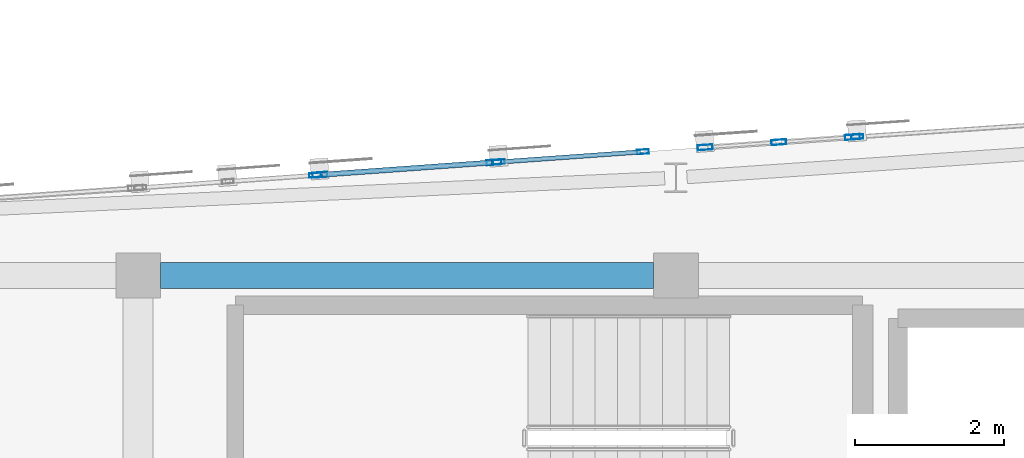
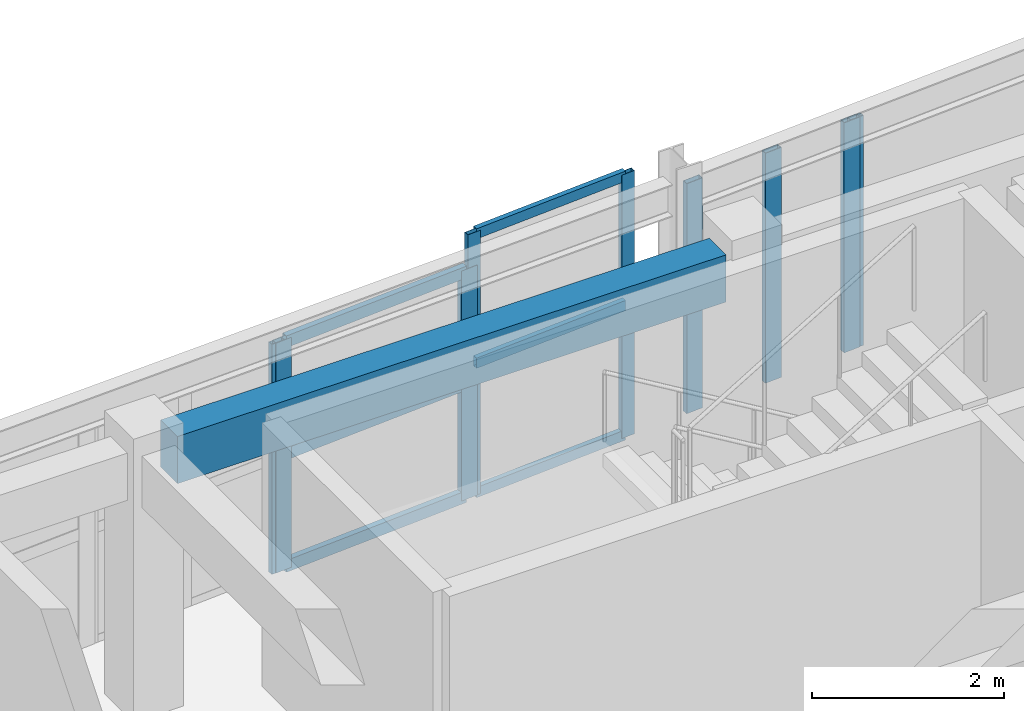
# One storey, part 9 of 48: 15 members, 1 beam, 5 elements without a shape of their own.
"""IFC4 building model written with IfcOpenShell, lengths in metres."""

from ifc_helpers import new_model, si_unit, direction, frame, origin, origin_2d, place, context, subcontext, project, spatial, rectangle, hollow_rectangle, extrude, material, layer, layer_set, material_profile, profile_set, type_object, element, aggregate, save


model = new_model("IFC4")

# Units and contexts
model_context = context("Model", 3, precision=1e-05, world=origin(), true_north=direction((0.0, 1.0)))
body_context = subcontext(model_context, "Body", "Model", "MODEL_VIEW")
ifc_project = project(units=[si_unit("LENGTHUNIT", "METRE"), si_unit("AREAUNIT", "SQUARE_METRE"), si_unit("VOLUMEUNIT", "CUBIC_METRE"), si_unit("PLANEANGLEUNIT", "RADIAN"), si_unit("MASSUNIT", "GRAM", prefix="KILO")], contexts=[model_context])

# Site, building, storey
site_placement = place(None, origin())
site = spatial("IfcSite", under=ifc_project, at=site_placement, CompositionType="ELEMENT")
building_placement = place(site_placement, origin())
building = spatial("IfcBuilding", under=site, at=building_placement, Name="Carrowvane Square Congress Hotel", CompositionType="ELEMENT")
storey_placement = place(building_placement, frame((0.0, 0.0, 26.39990234375)))
storey = spatial("IfcBuildingStorey", under=building, at=storey_placement, Name="L06", CompositionType="ELEMENT", Elevation=26.39990234375)

# Beam
ifc_material_1 = material(Name="Concrete C35/45", Category="concrete")
ifc_material_profile_1 = material_profile(ifc_material_1, rectangle(XDim=0.35009765625, YDim=0.60009765625, at=origin_2d()), Name="RC 350x600")
ifc_profile_set_1 = profile_set([ifc_material_profile_1], Name="Concrete C35/45")
beam_type = type_object("IfcBeamType", Name="BM-RC-350x600", PredefinedType="BEAM", material=ifc_profile_set_1)
beam_placement = place(storey_placement, frame((55.10009765625, 113.39990234375, 3.050048828125), z_axis=(1.0, 0.0, 0.0), x_axis=(0.0, 1.0, 0.0)))
element("IfcBeam", 1, at=beam_placement, inside=storey, type_object=beam_type, Name="L07 girder R/7-8", PredefinedType="BEAM", context=body_context, shape_type="SweptSolid", body=[
    extrude(rectangle(XDim=0.35009765625, YDim=0.60009765625, at=origin_2d()), origin(), (0.0, 0.0, 1.0), 6.599853515625),
])

# Curtain wall, member
ifc_material_2 = material(Name="Anodised aluminium", Category="aluminium")
ifc_layer_1 = layer(ifc_material_2, 0.2099609375)
ifc_layer_set_1 = layer_set([ifc_layer_1], Name="Anodised aluminium")
curtain_wall_type_1 = type_object("IfcCurtainWallType", Name="CW-SYS-5", PredefinedType="NOTDEFINED", material=ifc_layer_set_1)
curtain_wall_1_placement = place(storey_placement, origin())
curtain_wall_1 = element("IfcCurtainWall", 2, at=curtain_wall_1_placement, inside=storey, type_object=curtain_wall_type_1, Name="L06 unitised curtain wall 364", PredefinedType="NOTDEFINED")
ifc_material_3 = material(Name="Anodised aluminium", Category="aluminium")
ifc_material_profile_2 = material_profile(ifc_material_3, hollow_rectangle(XDim=0.06005859375, YDim=0.159912109375, WallThickness=0.00390625, at=origin_2d()), Name="CW-ML 60x160x4")
ifc_profile_set_2 = profile_set([ifc_material_profile_2], Name="Anodised aluminium")
member_type_1 = type_object("IfcMemberType", Name="CW-MUL-1", PredefinedType="MULLION", material=ifc_profile_set_2)
member_1_placement = place(storey_placement, frame((57.169921875, 114.740966796875, 0.0), z_axis=(0.0, 0.0, 1.0), x_axis=(-0.071418356042, 0.997446448898, 0.0)))
member_1 = element("IfcMember", 3, at=member_1_placement, type_object=member_type_1, Name="CW-5 mullion 3", PredefinedType="MULLION", context=body_context, shape_type="SweptSolid", body=[
    extrude(hollow_rectangle(XDim=0.06005859375, YDim=0.159912109375, WallThickness=0.00390625, at=origin_2d()), origin(), (0.0, 0.0, 1.0), 2.92578125),
])
aggregate(curtain_wall_1, [member_1])

# Curtain wall, members
ifc_material_4 = material(Name="Anodised aluminium", Category="aluminium")
ifc_layer_2 = layer(ifc_material_4, 0.23388671875)
ifc_layer_set_2 = layer_set([ifc_layer_2], Name="Anodised aluminium")
curtain_wall_type_2 = type_object("IfcCurtainWallType", Name="CW-SYS-7", PredefinedType="NOTDEFINED", material=ifc_layer_set_2)
curtain_wall_2_placement = place(storey_placement, origin())
curtain_wall_2 = element("IfcCurtainWall", 4, at=curtain_wall_2_placement, inside=storey, type_object=curtain_wall_type_2, Name="L06 unitised curtain wall 366", PredefinedType="NOTDEFINED")
member_2_placement = place(storey_placement, frame((59.6298828125, 114.91748046875, 0.0), z_axis=(0.0, 0.0, 1.0), x_axis=(-0.070960217342, 0.997479146426, 0.0)))
member_2 = element("IfcMember", 5, at=member_2_placement, type_object=member_type_1, Name="CW-7 mullion 1", PredefinedType="MULLION", context=body_context, shape_type="SweptSolid", body=[
    extrude(hollow_rectangle(XDim=0.06005859375, YDim=0.159912109375, WallThickness=0.00390625, at=origin_2d()), origin(), (0.0, 0.0, 1.0), 3.35009765625),
])
member_3_placement = place(storey_placement, frame((61.5595703125, 115.0546875, 0.0), z_axis=(0.0, 0.0, 1.0), x_axis=(-0.070960217342, 0.997479146426, 0.0)))
member_3 = element("IfcMember", 6, at=member_3_placement, type_object=member_type_1, Name="CW-7 mullion 2", PredefinedType="MULLION", context=body_context, shape_type="SweptSolid", body=[
    extrude(hollow_rectangle(XDim=0.06005859375, YDim=0.159912109375, WallThickness=0.00390625, at=origin_2d()), origin(), (0.0, 0.0, 1.0), 3.35009765625),
])

# Curtain wall, member
ifc_material_5 = material(Name="Anodised aluminium", Category="aluminium")
ifc_layer_3 = layer(ifc_material_5, 0.162109375)
ifc_layer_set_3 = layer_set([ifc_layer_3], Name="Anodised aluminium")
curtain_wall_type_3 = type_object("IfcCurtainWallType", Name="CW-SYS-1", PredefinedType="NOTDEFINED", material=ifc_layer_set_3)
curtain_wall_3_placement = place(storey_placement, origin())
curtain_wall_3 = element("IfcCurtainWall", 7, at=curtain_wall_3_placement, inside=storey, type_object=curtain_wall_type_3, Name="L06 unitised curtain wall 368", PredefinedType="NOTDEFINED")
member_4_placement = place(storey_placement, frame((64.429931640625, 115.255859375, 0.0), z_axis=(0.0, 0.0, 1.0), x_axis=(-0.067865424104, 0.997694484404, 0.0)))
member_4 = element("IfcMember", 8, at=member_4_placement, type_object=member_type_1, Name="CW-1 mullion 1", PredefinedType="MULLION", context=body_context, shape_type="SweptSolid", body=[
    extrude(hollow_rectangle(XDim=0.06005859375, YDim=0.159912109375, WallThickness=0.00390625, at=origin_2d()), origin(), (0.0, 0.0, 1.0), 2.92578125),
])
aggregate(curtain_wall_3, [member_4])

# Curtain wall, members
ifc_material_6 = material(Name="Anodised aluminium", Category="aluminium")
ifc_layer_4 = layer(ifc_material_6, 0.221923828125)
ifc_layer_set_4 = layer_set([ifc_layer_4], Name="Anodised aluminium")
curtain_wall_type_4 = type_object("IfcCurtainWallType", Name="CW-SYS-6", PredefinedType="NOTDEFINED", material=ifc_layer_set_4)
curtain_wall_4_placement = place(storey_placement, origin())
curtain_wall_4 = element("IfcCurtainWall", 9, at=curtain_wall_4_placement, inside=storey, type_object=curtain_wall_type_4, Name="L06 unitised curtain wall 365", PredefinedType="NOTDEFINED")
ifc_material_7 = material(Name="Anodised aluminium", Category="aluminium")
ifc_material_profile_3 = material_profile(ifc_material_7, hollow_rectangle(XDim=0.070068359375, YDim=0.199951171875, WallThickness=0.0048828125, at=origin_2d()), Name="CW-ML 70x200x5")
ifc_profile_set_3 = profile_set([ifc_material_profile_3], Name="Anodised aluminium")
member_type_2 = type_object("IfcMemberType", Name="CW-MUL-2", PredefinedType="MULLION", material=ifc_profile_set_3)
member_5_placement = place(storey_placement, frame((57.23486328125, 114.74560546875, 0.0), z_axis=(0.0, 0.0, 1.0), x_axis=(-0.071531759512, 0.997438322595, 0.0)))
member_5 = element("IfcMember", 10, at=member_5_placement, type_object=member_type_2, Name="CW-6 mullion 1", PredefinedType="MULLION", context=body_context, shape_type="SweptSolid", body=[
    extrude(hollow_rectangle(XDim=0.070068359375, YDim=0.199951171875, WallThickness=0.0048828125, at=origin_2d()), origin(), (0.0, 0.0, 1.0), 2.92578125),
])
member_6_placement = place(storey_placement, frame((59.565185546875, 114.912841796875, 0.0), z_axis=(0.0, 0.0, 1.0), x_axis=(-0.071531759512, 0.997438322595, 0.0)))
member_6 = element("IfcMember", 11, at=member_6_placement, type_object=member_type_2, Name="CW-6 mullion 2", PredefinedType="MULLION", context=body_context, shape_type="SweptSolid", body=[
    extrude(hollow_rectangle(XDim=0.070068359375, YDim=0.199951171875, WallThickness=0.0048828125, at=origin_2d()), origin(), (0.0, 0.0, 1.0), 2.92578125),
])

ifc_material_8 = material(Name="Anodised aluminium", Category="aluminium")
ifc_layer_5 = layer(ifc_material_8, 0.24609375)
ifc_layer_set_5 = layer_set([ifc_layer_5], Name="Anodised aluminium")
curtain_wall_type_5 = type_object("IfcCurtainWallType", Name="CW-SYS-8", PredefinedType="NOTDEFINED", material=ifc_layer_set_5)
curtain_wall_5_placement = place(storey_placement, origin())
curtain_wall_5 = element("IfcCurtainWall", 12, at=curtain_wall_5_placement, inside=storey, type_object=curtain_wall_type_5, Name="L06 unitised curtain wall 367", PredefinedType="NOTDEFINED")
member_7_placement = place(storey_placement, frame((62.39208984375, 115.11328125, 0.0), z_axis=(0.0, 0.0, 1.0), x_axis=(-0.069723822092, 0.997566332949, 0.0)))
member_7 = element("IfcMember", 13, at=member_7_placement, type_object=member_type_2, Name="CW-8 mullion 1", PredefinedType="MULLION", context=body_context, shape_type="SweptSolid", body=[
    extrude(hollow_rectangle(XDim=0.070068359375, YDim=0.199951171875, WallThickness=0.0048828125, at=origin_2d()), origin(), (0.0, 0.0, 1.0), 2.92578125),
])
member_8_placement = place(storey_placement, frame((63.378662109375, 115.182373046875, 0.0), z_axis=(0.0, 0.0, 1.0), x_axis=(-0.069723822092, 0.997566332949, 0.0)))
member_8 = element("IfcMember", 14, at=member_8_placement, type_object=member_type_2, Name="CW-8 mullion 2", PredefinedType="MULLION", context=body_context, shape_type="SweptSolid", body=[
    extrude(hollow_rectangle(XDim=0.070068359375, YDim=0.199951171875, WallThickness=0.0048828125, at=origin_2d()), origin(), (0.0, 0.0, 1.0), 2.92578125),
])
member_9_placement = place(storey_placement, frame((64.365234375, 115.251220703125, 0.0), z_axis=(0.0, 0.0, 1.0), x_axis=(-0.069723822092, 0.997566332949, 0.0)))
member_9 = element("IfcMember", 15, at=member_9_placement, type_object=member_type_2, Name="CW-8 mullion 3", PredefinedType="MULLION", context=body_context, shape_type="SweptSolid", body=[
    extrude(hollow_rectangle(XDim=0.070068359375, YDim=0.199951171875, WallThickness=0.0048828125, at=origin_2d()), origin(), (0.0, 0.0, 1.0), 2.92578125),
])
aggregate(curtain_wall_5, [member_7, member_8, member_9])

# Member
ifc_material_9 = material(Name="Anodised aluminium", Category="aluminium")
ifc_material_profile_4 = material_profile(ifc_material_9, hollow_rectangle(XDim=0.06005859375, YDim=0.1298828125, WallThickness=0.00390625, at=origin_2d()), Name="CW-TR 60x130x4")
ifc_profile_set_4 = profile_set([ifc_material_profile_4], Name="Anodised aluminium")
member_type_3 = type_object("IfcMemberType", Name="CW-TRN-1", PredefinedType="USERDEFINED", material=ifc_profile_set_4)
member_10_placement = place(storey_placement, frame((59.659912109375, 114.91943359375, 0.030029296875), z_axis=(0.997477179268, 0.070987864025, 0.0), x_axis=(-0.070987864025, 0.997477179268, 0.0)))
member_10 = element("IfcMember", 16, at=member_10_placement, type_object=member_type_3, Name="CW-7 transom 1.1", ObjectType="TRANSOM", PredefinedType="USERDEFINED", context=body_context, shape_type="SweptSolid", body=[
    extrude(hollow_rectangle(XDim=0.06005859375, YDim=0.1298828125, WallThickness=0.00390625, at=origin_2d()), origin(), (0.0, 0.0, 1.0), 1.874267578125),
])

member_11_placement = place(storey_placement, frame((59.659912109375, 114.91943359375, 1.675048828125), z_axis=(0.997477179268, 0.070987864025, 0.0), x_axis=(-0.070987864025, 0.997477179268, 0.0)))
member_11 = element("IfcMember", 17, at=member_11_placement, type_object=member_type_3, Name="CW-7 transom 1.2", ObjectType="TRANSOM", PredefinedType="USERDEFINED", context=body_context, shape_type="SweptSolid", body=[
    extrude(hollow_rectangle(XDim=0.06005859375, YDim=0.1298828125, WallThickness=0.00390625, at=origin_2d()), origin(), (0.0, 0.0, 1.0), 1.874267578125),
])

member_12_placement = place(storey_placement, frame((59.659912109375, 114.91943359375, 3.320068359375), z_axis=(0.997477179268, 0.070987864025, 0.0), x_axis=(-0.070987864025, 0.997477179268, 0.0)))
member_12 = element("IfcMember", 18, at=member_12_placement, type_object=member_type_3, Name="CW-7 transom 1.3", ObjectType="TRANSOM", PredefinedType="USERDEFINED", context=body_context, shape_type="SweptSolid", body=[
    extrude(hollow_rectangle(XDim=0.06005859375, YDim=0.1298828125, WallThickness=0.00390625, at=origin_2d()), origin(), (0.0, 0.0, 1.0), 1.874267578125),
])

aggregate(curtain_wall_2, [member_2, member_3, member_10, member_11, member_12])

ifc_material_10 = material(Name="Anodised aluminium", Category="aluminium")
ifc_material_profile_5 = material_profile(ifc_material_10, hollow_rectangle(XDim=0.070068359375, YDim=0.14990234375, WallThickness=0.0048828125, at=origin_2d()), Name="CW-TR 70x150x5")
ifc_profile_set_5 = profile_set([ifc_material_profile_5], Name="Anodised aluminium")
member_type_4 = type_object("IfcMemberType", Name="CW-TRN-2", PredefinedType="USERDEFINED", material=ifc_profile_set_5)
member_13_placement = place(storey_placement, frame((57.269775390625, 114.748046875, 0.03515625), z_axis=(0.99743842674, 0.071530307307, 0.0), x_axis=(-0.071530307307, 0.99743842674, 0.0)))
member_13 = element("IfcMember", 19, at=member_13_placement, type_object=member_type_4, Name="CW-6 transom 1.1", ObjectType="TRANSOM", PredefinedType="USERDEFINED", context=body_context, shape_type="SweptSolid", body=[
    extrude(hollow_rectangle(XDim=0.070068359375, YDim=0.14990234375, WallThickness=0.0048828125, at=origin_2d()), origin(), (0.0, 0.0, 1.0), 2.266357421875),
])

member_14_placement = place(storey_placement, frame((57.269775390625, 114.748046875, 1.462890625), z_axis=(0.99743842674, 0.071530307307, 0.0), x_axis=(-0.071530307307, 0.99743842674, 0.0)))
member_14 = element("IfcMember", 20, at=member_14_placement, type_object=member_type_4, Name="CW-6 transom 1.2", ObjectType="TRANSOM", PredefinedType="USERDEFINED", context=body_context, shape_type="SweptSolid", body=[
    extrude(hollow_rectangle(XDim=0.070068359375, YDim=0.14990234375, WallThickness=0.0048828125, at=origin_2d()), origin(), (0.0, 0.0, 1.0), 2.266357421875),
])

member_15_placement = place(storey_placement, frame((57.269775390625, 114.748046875, 2.890625), z_axis=(0.99743842674, 0.071530307307, 0.0), x_axis=(-0.071530307307, 0.99743842674, 0.0)))
member_15 = element("IfcMember", 21, at=member_15_placement, type_object=member_type_4, Name="CW-6 transom 1.3", ObjectType="TRANSOM", PredefinedType="USERDEFINED", context=body_context, shape_type="SweptSolid", body=[
    extrude(hollow_rectangle(XDim=0.070068359375, YDim=0.14990234375, WallThickness=0.0048828125, at=origin_2d()), origin(), (0.0, 0.0, 1.0), 2.266357421875),
])

aggregate(curtain_wall_4, [member_5, member_6, member_13, member_14, member_15])

save(model, "model.ifc")
